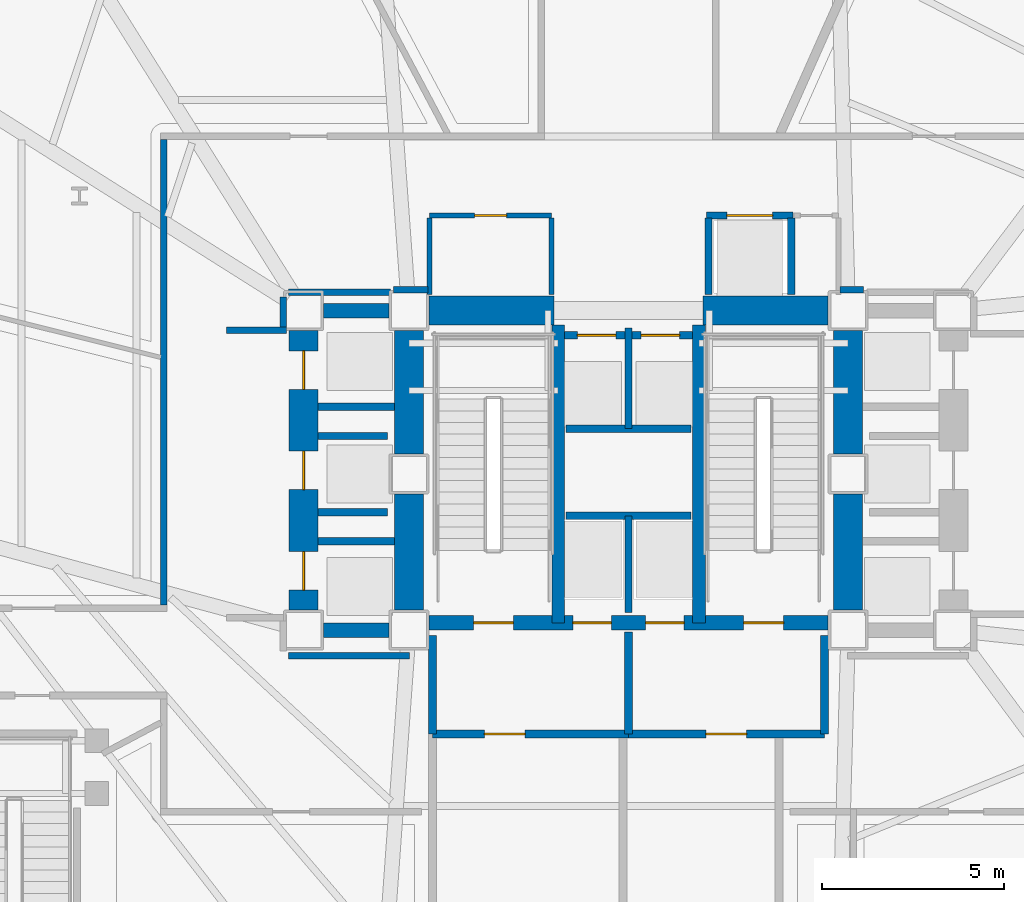
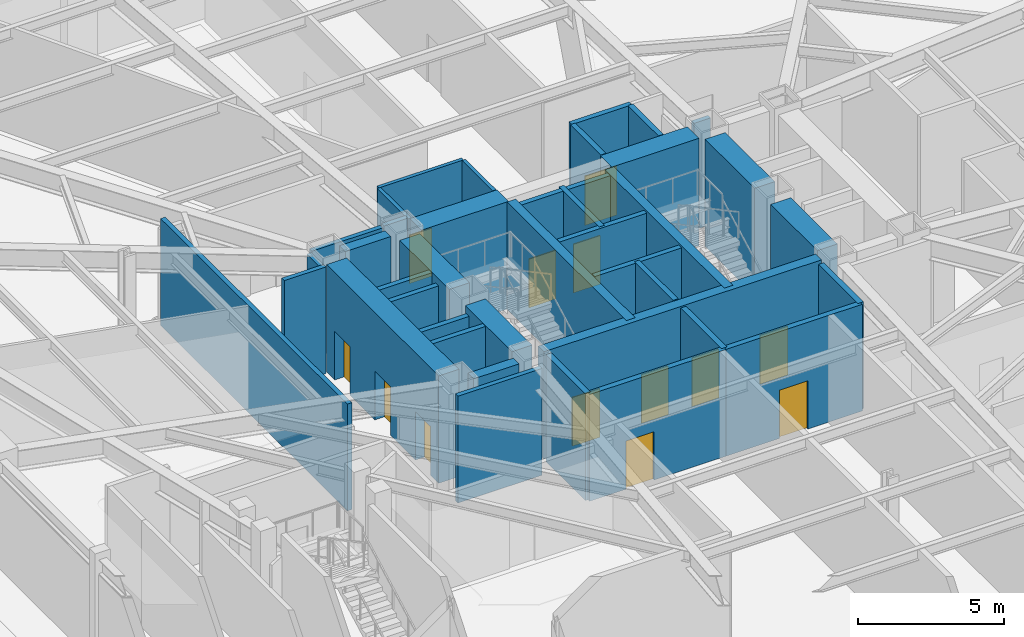
# One storey, part 4 of 10: 39 walls, 13 doors, 13 openings.
"""IFC4 building model written with IfcOpenShell, lengths in metres."""

from ifc_helpers import new_model, si_unit, direction, frame, frame_2d, origin, place, context, subcontext, project, spatial, rectangle, extrude, material, layer, layer_set, type_object, element, fill, save


model = new_model("IFC4")

# Units and contexts
model_context = context("Model", 3, precision=1e-05, world=origin(), true_north=direction((0.0, 1.0)))
body_context = subcontext(model_context, "Body", "Model", "MODEL_VIEW")
ifc_project = project(units=[si_unit("LENGTHUNIT", "METRE"), si_unit("AREAUNIT", "SQUARE_METRE"), si_unit("VOLUMEUNIT", "CUBIC_METRE"), si_unit("PLANEANGLEUNIT", "RADIAN"), si_unit("MASSUNIT", "GRAM", prefix="KILO")], contexts=[model_context])

# Site, building, storey
site_placement = place(None, origin())
site = spatial("IfcSite", under=ifc_project, at=site_placement, CompositionType="ELEMENT")
building_placement = place(site_placement, origin())
building = spatial("IfcBuilding", under=site, at=building_placement, Name="Rocaltana Carrier Exchange", CompositionType="ELEMENT")
storey_placement = place(building_placement, origin())
storey = spatial("IfcBuildingStorey", under=building, at=storey_placement, Name="L01", CompositionType="ELEMENT", Elevation=0.0)

# Walls
ifc_material_1 = material(Name="Concrete C50/60", Category="concrete")
ifc_layer_1 = layer(ifc_material_1, 0.35009765625)
ifc_layer_set_1 = layer_set([ifc_layer_1], Name="Concrete C50/60")
wall_type_1 = type_object("IfcWallType", Name="Core Internal Shear Wall 350", PredefinedType="SHEAR", material=ifc_layer_set_1)
for number, where, z_axis, x_axis, name in (
    (1, (-1.93994140625, -4.10009765625, 0.0), (0.0, 0.0, 1.0), (0.0, 1.0, 0.0), "L01 Core Shear Wall CW-STW"),
    (2, (1.93994140625, -4.10009765625, 0.0), (0.0, 0.0, 1.0), (0.0, 1.0, 0.0), "L01 Core Shear Wall CW-STE"),
):
    element("IfcWall", number, at=place(storey_placement, frame(where, z_axis=z_axis, x_axis=x_axis)), inside=storey, type_object=wall_type_1, Name=name, PredefinedType="SHEAR", context=body_context, shape_type="SweptSolid", body=[
        extrude(rectangle(XDim=8.2001953125, YDim=0.35009765625, at=frame_2d((4.10009765625, 0.0))), origin(), (0.0, 0.0, 1.0), 4.498046875),
    ])

# Wall, openings, doors
ifc_material_2 = material(Name="Concrete C50/60", Category="concrete")
ifc_layer_2 = layer(ifc_material_2, 0.39990234375)
ifc_layer_set_2 = layer_set([ifc_layer_2], Name="Concrete C50/60")
wall_type_2 = type_object("IfcWallType", Name="Core Internal Shear Wall 400", PredefinedType="SHEAR", material=ifc_layer_set_2)
wall_1_placement = place(storey_placement, frame((-5.5, -4.10009765625, 0.0), z_axis=(0.0, 0.0, 1.0), x_axis=(1.0, 0.0, 0.0)))
wall_1 = element("IfcWall", 3, at=wall_1_placement, inside=storey, type_object=wall_type_2, Name="L01 Core Shear Wall CW-S", PredefinedType="SHEAR", context=body_context, shape_type="SweptSolid", body=[
    extrude(rectangle(XDim=11.0, YDim=0.39990234375, at=frame_2d((5.5, 0.0))), origin(), (0.0, 0.0, 1.0), 4.498046875),
])
opening_1_placement = place(wall_1_placement, frame((1.22998046875, 0.0, 0.0)))
opening_1 = element("IfcOpeningElement", 4, at=opening_1_placement, cuts=wall_1, Name="Opening D-ST110", PredefinedType="OPENING", context=body_context, shape_type="SweptSolid", body=[
    extrude(rectangle(XDim=1.10009765625, YDim=2.0400390625, at=frame_2d((0.550048828125, 1.02001953125))), frame((0.0, 0.2099609375, 0.0), z_axis=(0.0, -1.0, 0.0), x_axis=(1.0, 0.0, 0.0)), (0.0, 0.0, 1.0), 0.419921875),
])
opening_2_placement = place(wall_1_placement, frame((8.669921875, 0.0, 0.0)))
opening_2 = element("IfcOpeningElement", 5, at=opening_2_placement, cuts=wall_1, Name="Opening D-ST110", PredefinedType="OPENING", context=body_context, shape_type="SweptSolid", body=[
    extrude(rectangle(XDim=1.10009765625, YDim=2.0400390625, at=frame_2d((0.550048828125, 1.02001953125))), frame((0.0, 0.2099609375, 0.0), z_axis=(0.0, -1.0, 0.0), x_axis=(1.0, 0.0, 0.0)), (0.0, 0.0, 1.0), 0.419921875),
])
opening_3_placement = place(wall_1_placement, frame((3.969970703125, 0.0, 0.0)))
opening_3 = element("IfcOpeningElement", 6, at=opening_3_placement, cuts=wall_1, Name="Opening LD-110", PredefinedType="OPENING", context=body_context, shape_type="SweptSolid", body=[
    extrude(rectangle(XDim=1.06005859375, YDim=2.0400390625, at=frame_2d((0.530029296875, 1.02001953125))), frame((0.0, 0.2099609375, 0.0), z_axis=(0.0, -1.0, 0.0), x_axis=(1.0, 0.0, 0.0)), (0.0, 0.0, 1.0), 0.419921875),
])
opening_4_placement = place(wall_1_placement, frame((5.969970703125, 0.0, 0.0)))
opening_4 = element("IfcOpeningElement", 7, at=opening_4_placement, cuts=wall_1, Name="Opening LD-110", PredefinedType="OPENING", context=body_context, shape_type="SweptSolid", body=[
    extrude(rectangle(XDim=1.06005859375, YDim=2.0400390625, at=frame_2d((0.530029296875, 1.02001953125))), frame((0.0, 0.2099609375, 0.0), z_axis=(0.0, -1.0, 0.0), x_axis=(1.0, 0.0, 0.0)), (0.0, 0.0, 1.0), 0.419921875),
])
ifc_material_3 = material(Name="Hollow Metal Fire Door Assembly", Category="steel")
door_type_1 = type_object("IfcDoorType", Name="Exit Stair Fire Door 1100x2040 FD90S", OperationType="NOTDEFINED", PredefinedType="DOOR", material=ifc_material_3)
door_1_placement = place(opening_1_placement, origin())
door_1 = element("IfcDoor", 8, at=door_1_placement, inside=storey, type_object=door_type_1, Name="L01 Exit Stair ST1 Fire Door", OperationType="SINGLE_SWING_RIGHT", OverallHeight=2.0400390625, OverallWidth=1.10009765625, PredefinedType="DOOR", context=body_context, shape_type="SweptSolid", body=[
    extrude(rectangle(XDim=1.10009765625, YDim=2.0400390625, at=frame_2d((0.550048828125, 1.02001953125))), frame((0.0, 0.02490234375, 0.0), z_axis=(0.0, -1.0, 0.0), x_axis=(1.0, 0.0, 0.0)), (0.0, 0.0, 1.0), 0.050048828125),
])
fill(opening_1, door_1)
door_2_placement = place(opening_2_placement, origin())
door_2 = element("IfcDoor", 9, at=door_2_placement, inside=storey, type_object=door_type_1, Name="L01 Exit Stair ST2 Fire Door", OperationType="SINGLE_SWING_LEFT", OverallHeight=2.0400390625, OverallWidth=1.10009765625, PredefinedType="DOOR", context=body_context, shape_type="SweptSolid", body=[
    extrude(rectangle(XDim=1.10009765625, YDim=2.0400390625, at=frame_2d((0.550048828125, 1.02001953125))), frame((0.0, 0.02490234375, 0.0), z_axis=(0.0, -1.0, 0.0), x_axis=(1.0, 0.0, 0.0)), (0.0, 0.0, 1.0), 0.050048828125),
])
fill(opening_2, door_2)
ifc_material_4 = material(Name="Brushed Stainless Sliding Door Leaf", Category="steel")
door_type_2 = type_object("IfcDoorType", Name="Lift Landing Sliding Door 1060x2040", OperationType="NOTDEFINED", PredefinedType="DOOR", material=ifc_material_4)
door_3_placement = place(opening_3_placement, origin())
door_3 = element("IfcDoor", 10, at=door_3_placement, inside=storey, type_object=door_type_2, Name="L01 Firefighting Lift FFL1 Landing Door", OperationType="SLIDING_TO_LEFT", OverallHeight=2.0400390625, OverallWidth=1.06005859375, PredefinedType="DOOR", context=body_context, shape_type="SweptSolid", body=[
    extrude(rectangle(XDim=1.06005859375, YDim=2.0400390625, at=frame_2d((0.530029296875, 1.02001953125))), frame((0.0, 0.02490234375, 0.0), z_axis=(0.0, -1.0, 0.0), x_axis=(1.0, 0.0, 0.0)), (0.0, 0.0, 1.0), 0.050048828125),
])
fill(opening_3, door_3)
door_4_placement = place(opening_4_placement, origin())
door_4 = element("IfcDoor", 11, at=door_4_placement, inside=storey, type_object=door_type_2, Name="L01 Firefighting Lift FFL2 Landing Door", OperationType="SLIDING_TO_RIGHT", OverallHeight=2.0400390625, OverallWidth=1.06005859375, PredefinedType="DOOR", context=body_context, shape_type="SweptSolid", body=[
    extrude(rectangle(XDim=1.06005859375, YDim=2.0400390625, at=frame_2d((0.530029296875, 1.02001953125))), frame((0.0, 0.02490234375, 0.0), z_axis=(0.0, -1.0, 0.0), x_axis=(1.0, 0.0, 0.0)), (0.0, 0.0, 1.0), 0.050048828125),
])
fill(opening_4, door_4)

# Walls
for number, where, z_axis, x_axis, name in (
    (12, (-8.39990234375, 4.5, 0.0), (0.0, 0.0, 1.0), (1.0, 0.0, 0.0), "L01 Core Shear Wall CW-WWN"),
    (13, (-8.39990234375, -4.300048828125, 0.0), (0.0, 0.0, 1.0), (1.0, 0.0, 0.0), "L01 Core Shear Wall CW-WWS"),
):
    element("IfcWall", number, at=place(storey_placement, frame(where, z_axis=z_axis, x_axis=x_axis)), inside=storey, type_object=wall_type_2, Name=name, PredefinedType="SHEAR", context=body_context, shape_type="SweptSolid", body=[
        extrude(rectangle(XDim=1.7998046875, YDim=0.39990234375, at=frame_2d((0.89990234375, 0.0))), origin(), (0.0, 0.0, 1.0), 4.498046875),
    ])
ifc_material_5 = material(Name="Concrete C60/75", Category="concrete")
ifc_layer_3 = layer(ifc_material_5, 0.800048828125)
ifc_layer_set_3 = layer_set([ifc_layer_3], Name="Concrete C60/75")
wall_type_3 = type_object("IfcWallType", Name="Core Shear Wall 800", PredefinedType="SHEAR", material=ifc_layer_set_3)
wall_2_placement = place(storey_placement, frame((-6.050048828125, 0.550048828125, 0.0), z_axis=(0.0, 0.0, 1.0), x_axis=(0.0, 1.0, 0.0)))
element("IfcWall", 14, at=wall_2_placement, inside=storey, type_object=wall_type_3, Name="L01 Core Shear Wall CW-WN", PredefinedType="SHEAR", context=body_context, shape_type="SweptSolid", body=[
    extrude(rectangle(XDim=3.39990234375, YDim=0.800048828125, at=frame_2d((1.699951171875, 0.0))), origin(), (0.0, 0.0, 1.0), 4.498046875),
])
wall_3_placement = place(storey_placement, frame((-6.050048828125, -3.75, 0.0), z_axis=(0.0, 0.0, 1.0), x_axis=(0.0, 1.0, 0.0)))
element("IfcWall", 15, at=wall_3_placement, inside=storey, type_object=wall_type_3, Name="L01 Core Shear Wall CW-WS", PredefinedType="SHEAR", context=body_context, shape_type="SweptSolid", body=[
    extrude(rectangle(XDim=3.199951171875, YDim=0.800048828125, at=frame_2d((1.60009765625, 0.0))), origin(), (0.0, 0.0, 1.0), 4.498046875),
])
wall_4_placement = place(storey_placement, frame((6.050048828125, 0.550048828125, 0.0), z_axis=(0.0, 0.0, 1.0), x_axis=(0.0, 1.0, 0.0)))
element("IfcWall", 16, at=wall_4_placement, inside=storey, type_object=wall_type_3, Name="L01 Core Shear Wall CW-EN", PredefinedType="SHEAR", context=body_context, shape_type="SweptSolid", body=[
    extrude(rectangle(XDim=3.39990234375, YDim=0.800048828125, at=frame_2d((1.699951171875, 0.0))), origin(), (0.0, 0.0, 1.0), 4.498046875),
])
wall_5_placement = place(storey_placement, frame((6.050048828125, -3.75, 0.0), z_axis=(0.0, 0.0, 1.0), x_axis=(0.0, 1.0, 0.0)))
element("IfcWall", 17, at=wall_5_placement, inside=storey, type_object=wall_type_3, Name="L01 Core Shear Wall CW-ES", PredefinedType="SHEAR", context=body_context, shape_type="SweptSolid", body=[
    extrude(rectangle(XDim=3.199951171875, YDim=0.800048828125, at=frame_2d((1.60009765625, 0.0))), origin(), (0.0, 0.0, 1.0), 4.498046875),
])
for number, where, z_axis, x_axis, name in (
    (18, (-5.5, 4.5, 0.0), (0.0, 0.0, 1.0), (1.0, 0.0, 0.0), "L01 Core Shear Wall CW-N1"),
    (19, (2.050048828125, 4.5, 0.0), (0.0, 0.0, 1.0), (1.0, 0.0, 0.0), "L01 Core Shear Wall CW-N2"),
):
    element("IfcWall", number, at=place(storey_placement, frame(where, z_axis=z_axis, x_axis=x_axis)), inside=storey, type_object=wall_type_3, Name=name, PredefinedType="SHEAR", context=body_context, shape_type="SweptSolid", body=[
        extrude(rectangle(XDim=3.449951171875, YDim=0.800048828125, at=frame_2d((1.72509765625, 0.0))), origin(), (0.0, 0.0, 1.0), 4.498046875),
    ])

# Wall, openings, doors
wall_6_placement = place(storey_placement, frame((-8.949951171875, -3.75, 0.0), z_axis=(0.0, 0.0, 1.0), x_axis=(0.0, 1.0, 0.0)))
wall_6 = element("IfcWall", 20, at=wall_6_placement, inside=storey, type_object=wall_type_3, Name="L01 Core Shear Wall CW-WW", PredefinedType="SHEAR", context=body_context, shape_type="SweptSolid", body=[
    extrude(rectangle(XDim=7.699951171875, YDim=0.800048828125, at=frame_2d((3.85009765625, 0.0))), origin(), (0.0, 0.0, 1.0), 4.498046875),
])
opening_5_placement = place(wall_6_placement, frame((0.550048828125, 0.0, 0.0)))
opening_5 = element("IfcOpeningElement", 21, at=opening_5_placement, cuts=wall_6, Name="Opening LD-110", PredefinedType="OPENING", context=body_context, shape_type="SweptSolid", body=[
    extrude(rectangle(XDim=1.06005859375, YDim=2.0400390625, at=frame_2d((0.530029296875, 1.02001953125))), frame((0.0, 0.409912109375, 0.0), z_axis=(0.0, -1.0, 0.0), x_axis=(1.0, 0.0, 0.0)), (0.0, 0.0, 1.0), 0.820068359375),
])
opening_6_placement = place(wall_6_placement, frame((3.320068359375, 0.0, 0.0)))
opening_6 = element("IfcOpeningElement", 22, at=opening_6_placement, cuts=wall_6, Name="Opening LD-110", PredefinedType="OPENING", context=body_context, shape_type="SweptSolid", body=[
    extrude(rectangle(XDim=1.06005859375, YDim=2.0400390625, at=frame_2d((0.530029296875, 1.02001953125))), frame((0.0, 0.409912109375, 0.0), z_axis=(0.0, -1.0, 0.0), x_axis=(1.0, 0.0, 0.0)), (0.0, 0.0, 1.0), 0.820068359375),
])
opening_7_placement = place(wall_6_placement, frame((6.080078125, 0.0, 0.0)))
opening_7 = element("IfcOpeningElement", 23, at=opening_7_placement, cuts=wall_6, Name="Opening LD-110", PredefinedType="OPENING", context=body_context, shape_type="SweptSolid", body=[
    extrude(rectangle(XDim=1.06005859375, YDim=2.0400390625, at=frame_2d((0.530029296875, 1.02001953125))), frame((0.0, 0.409912109375, 0.0), z_axis=(0.0, -1.0, 0.0), x_axis=(1.0, 0.0, 0.0)), (0.0, 0.0, 1.0), 0.820068359375),
])
door_5_placement = place(opening_5_placement, origin())
door_5 = element("IfcDoor", 24, at=door_5_placement, inside=storey, type_object=door_type_2, Name="L01 Low-Rise Lift PL-L1 Landing Door", OperationType="SLIDING_TO_LEFT", OverallHeight=2.0400390625, OverallWidth=1.06005859375, PredefinedType="DOOR", context=body_context, shape_type="SweptSolid", body=[
    extrude(rectangle(XDim=1.06005859375, YDim=2.0400390625, at=frame_2d((0.530029296875, 1.02001953125))), frame((0.0, 0.02490234375, 0.0), z_axis=(0.0, -1.0, 0.0), x_axis=(1.0, 0.0, 0.0)), (0.0, 0.0, 1.0), 0.050048828125),
])
fill(opening_5, door_5)
door_6_placement = place(opening_6_placement, origin())
door_6 = element("IfcDoor", 25, at=door_6_placement, inside=storey, type_object=door_type_2, Name="L01 Low-Rise Lift PL-L2 Landing Door", OperationType="SLIDING_TO_RIGHT", OverallHeight=2.0400390625, OverallWidth=1.06005859375, PredefinedType="DOOR", context=body_context, shape_type="SweptSolid", body=[
    extrude(rectangle(XDim=1.06005859375, YDim=2.0400390625, at=frame_2d((0.530029296875, 1.02001953125))), frame((0.0, 0.02490234375, 0.0), z_axis=(0.0, -1.0, 0.0), x_axis=(1.0, 0.0, 0.0)), (0.0, 0.0, 1.0), 0.050048828125),
])
fill(opening_6, door_6)
door_7_placement = place(opening_7_placement, origin())
door_7 = element("IfcDoor", 26, at=door_7_placement, inside=storey, type_object=door_type_2, Name="L01 Low-Rise Lift PL-L3 Landing Door", OperationType="SLIDING_TO_LEFT", OverallHeight=2.0400390625, OverallWidth=1.06005859375, PredefinedType="DOOR", context=body_context, shape_type="SweptSolid", body=[
    extrude(rectangle(XDim=1.06005859375, YDim=2.0400390625, at=frame_2d((0.530029296875, 1.02001953125))), frame((0.0, 0.02490234375, 0.0), z_axis=(0.0, -1.0, 0.0), x_axis=(1.0, 0.0, 0.0)), (0.0, 0.0, 1.0), 0.050048828125),
])
fill(opening_7, door_7)

# Walls
ifc_material_6 = material(Name="Gypsum & Steel Stud Partition", Category="steel")
ifc_layer_4 = layer(ifc_material_6, 0.179931640625)
ifc_layer_set_4 = layer_set([ifc_layer_4], Name="Gypsum & Steel Stud Partition")
wall_type_4 = type_object("IfcWallType", Name="Corridor Fire Partition 180 EI60", PredefinedType="PARTITIONING", material=ifc_layer_set_4)
wall_7_placement = place(storey_placement, frame((-12.800048828125, -3.610107421875, 0.0), z_axis=(0.0, 0.0, 1.0), x_axis=(0.0, 1.0, 0.0)))
element("IfcWall", 27, at=wall_7_placement, inside=storey, type_object=wall_type_4, Name="L01 Corridor Partition 2", PredefinedType="PARTITIONING", context=body_context, shape_type="SweptSolid", body=[
    extrude(rectangle(XDim=12.820068359375, YDim=0.179931640625, at=frame_2d((6.41015625, 0.0))), origin(), (0.0, 0.0, 1.0), 4.472900390625),
])
wall_8_placement = place(storey_placement, frame((6.469970703125, 5.080078125, 0.0), z_axis=(0.0, 0.0, 1.0), x_axis=(-1.0, 0.0, 0.0)))
element("IfcWall", 28, at=wall_8_placement, inside=storey, type_object=wall_type_4, Name="L01 Corridor Partition 20", PredefinedType="PARTITIONING", context=body_context, shape_type="SweptSolid", body=[
    extrude(rectangle(XDim=0.64990234375, YDim=0.179931640625, at=frame_2d((0.324951171875, 0.0))), origin(), (0.0, 0.0, 1.0), 4.472900390625),
])
wall_9_placement = place(storey_placement, frame((-5.52001953125, 5.080078125, 0.0), z_axis=(0.0, 0.0, 1.0), x_axis=(-1.0, 0.0, 0.0)))
element("IfcWall", 29, at=wall_9_placement, inside=storey, type_object=wall_type_4, Name="L01 Corridor Partition 23", PredefinedType="PARTITIONING", context=body_context, shape_type="SweptSolid", body=[
    extrude(rectangle(XDim=0.949951171875, YDim=0.179931640625, at=frame_2d((0.47509765625, 0.0))), origin(), (0.0, 0.0, 1.0), 4.472900390625),
])
wall_10_placement = place(storey_placement, frame((-6.562255859375, 5.010009765625, 0.0), z_axis=(0.0, 0.0, 1.0), x_axis=(-1.0, 0.0, 0.0)))
element("IfcWall", 30, at=wall_10_placement, inside=storey, type_object=wall_type_4, Name="L01 Corridor Partition 24", PredefinedType="PARTITIONING", context=body_context, shape_type="SweptSolid", body=[
    extrude(rectangle(XDim=2.807861328125, YDim=0.179931640625, at=frame_2d((1.40380859375, 0.0))), origin(), (0.0, 0.0, 1.0), 4.472900390625),
])
wall_11_placement = place(storey_placement, frame((-9.510009765625, 4.8701171875, 0.0), z_axis=(0.0, 0.0, 1.0), x_axis=(0.0, -1.0, 0.0)))
element("IfcWall", 31, at=wall_11_placement, inside=storey, type_object=wall_type_4, Name="L01 Corridor Partition 25", PredefinedType="PARTITIONING", context=body_context, shape_type="SweptSolid", body=[
    extrude(rectangle(XDim=0.820068359375, YDim=0.179931640625, at=frame_2d((0.41015625, 0.0))), origin(), (0.0, 0.0, 1.0), 4.472900390625),
])
wall_12_placement = place(storey_placement, frame((-9.419921875, 3.9599609375, 0.0), z_axis=(0.0, 0.0, 1.0), x_axis=(-1.0, 0.0, 0.0)))
element("IfcWall", 32, at=wall_12_placement, inside=storey, type_object=wall_type_4, Name="L01 Corridor Partition 26", PredefinedType="PARTITIONING", context=body_context, shape_type="SweptSolid", body=[
    extrude(rectangle(XDim=1.650146484375, YDim=0.179931640625, at=frame_2d((0.8251953125, 0.0))), origin(), (0.0, 0.0, 1.0), 4.472900390625),
])
wall_13_placement = place(storey_placement, frame((-9.3701171875, -5.010009765625, 0.0), z_axis=(0.0, 0.0, 1.0), x_axis=(1.0, 0.0, 0.0)))
element("IfcWall", 33, at=wall_13_placement, inside=storey, type_object=wall_type_4, Name="L01 Corridor Partition 29", PredefinedType="PARTITIONING", context=body_context, shape_type="SweptSolid", body=[
    extrude(rectangle(XDim=3.340087890625, YDim=0.179931640625, at=frame_2d((1.669921875, 0.0))), origin(), (0.0, 0.0, 1.0), 4.472900390625),
])
ifc_material_7 = material(Name="Autoclaved Aerated Concrete C30/37", Category="concrete")
ifc_layer_5 = layer(ifc_material_7, 0.219970703125)
ifc_layer_set_5 = layer_set([ifc_layer_5], Name="Autoclaved Aerated Concrete C30/37")
wall_type_5 = type_object("IfcWallType", Name="Firefighting Lobby Wall 220 EI120", PredefinedType="PARTITIONING", material=ifc_layer_set_5)
for number, where, z_axis, x_axis, name in (
    (34, (-5.39990234375, -7.159912109375, 0.0), (0.0, 0.0, 1.0), (0.0, 1.0, 0.0), "L01 FFL Lobby 1 West Wall"),
    (35, (5.39990234375, -7.159912109375, 0.0), (0.0, 0.0, 1.0), (0.0, 1.0, 0.0), "L01 FFL Lobby 2 East Wall"),
):
    element("IfcWall", number, at=place(storey_placement, frame(where, z_axis=z_axis, x_axis=x_axis)), inside=storey, type_object=wall_type_5, Name=name, PredefinedType="PARTITIONING", context=body_context, shape_type="SweptSolid", body=[
        extrude(rectangle(XDim=2.7099609375, YDim=0.219970703125, at=frame_2d((1.35498046875, 0.0))), origin(), (0.0, 0.0, 1.0), 4.472900390625),
    ])
wall_14_placement = place(storey_placement, frame((0.0, -7.159912109375, 0.0), z_axis=(0.0, 0.0, 1.0), x_axis=(0.0, 1.0, 0.0)))
element("IfcWall", 36, at=wall_14_placement, inside=storey, type_object=wall_type_5, Name="L01 FFL Lobby Centre Wall", PredefinedType="PARTITIONING", context=body_context, shape_type="SweptSolid", body=[
    extrude(rectangle(XDim=2.809814453125, YDim=0.219970703125, at=frame_2d((1.40478515625, 0.0))), origin(), (0.0, 0.0, 1.0), 4.472900390625),
])

# Wall, opening, door
wall_15_placement = place(storey_placement, frame((0.0, -7.159912109375, 0.0), z_axis=(0.0, 0.0, 1.0), x_axis=(-1.0, 0.0, 0.0)))
wall_15 = element("IfcWall", 37, at=wall_15_placement, inside=storey, type_object=wall_type_5, Name="L01 FFL Lobby 1 South Wall", PredefinedType="PARTITIONING", context=body_context, shape_type="SweptSolid", body=[
    extrude(rectangle(XDim=5.39990234375, YDim=0.219970703125, at=frame_2d((2.699951171875, 0.0))), origin(), (0.0, 0.0, 1.0), 4.472900390625),
])
opening_8_placement = place(wall_15_placement, frame((2.85009765625, 0.0, 0.0)))
opening_8 = element("IfcOpeningElement", 38, at=opening_8_placement, cuts=wall_15, Name="Opening D-FF115", PredefinedType="OPENING", context=body_context, shape_type="SweptSolid", body=[
    extrude(rectangle(XDim=1.1201171875, YDim=2.02001953125, at=frame_2d((0.56005859375, 1.010009765625))), frame((0.0, 0.119873046875, 0.0), z_axis=(0.0, -1.0, 0.0), x_axis=(1.0, 0.0, 0.0)), (0.0, 0.0, 1.0), 0.239990234375),
])
ifc_material_8 = material(Name="Hollow Metal Fire Door Assembly", Category="steel")
door_type_3 = type_object("IfcDoorType", Name="Firefighting Lobby Door 1120x2020 FD60S", OperationType="NOTDEFINED", PredefinedType="DOOR", material=ifc_material_8)
door_8_placement = place(opening_8_placement, origin())
door_8 = element("IfcDoor", 39, at=door_8_placement, inside=storey, type_object=door_type_3, Name="L01 Firefighting Lift Lobby 1 Door", OperationType="SINGLE_SWING_RIGHT", OverallHeight=2.02001953125, OverallWidth=1.1201171875, PredefinedType="DOOR", context=body_context, shape_type="SweptSolid", body=[
    extrude(rectangle(XDim=1.1201171875, YDim=2.02001953125, at=frame_2d((0.56005859375, 1.010009765625))), frame((0.0, 0.02490234375, 0.0), z_axis=(0.0, -1.0, 0.0), x_axis=(1.0, 0.0, 0.0)), (0.0, 0.0, 1.0), 0.050048828125),
])
fill(opening_8, door_8)

wall_16_placement = place(storey_placement, frame((5.39990234375, -7.159912109375, 0.0), z_axis=(0.0, 0.0, 1.0), x_axis=(-1.0, 0.0, 0.0)))
wall_16 = element("IfcWall", 40, at=wall_16_placement, inside=storey, type_object=wall_type_5, Name="L01 FFL Lobby 2 South Wall", PredefinedType="PARTITIONING", context=body_context, shape_type="SweptSolid", body=[
    extrude(rectangle(XDim=5.39990234375, YDim=0.219970703125, at=frame_2d((2.699951171875, 0.0))), origin(), (0.0, 0.0, 1.0), 4.472900390625),
])
opening_9_placement = place(wall_16_placement, frame((2.14990234375, 0.0, 0.0)))
opening_9 = element("IfcOpeningElement", 41, at=opening_9_placement, cuts=wall_16, Name="Opening D-FF115", PredefinedType="OPENING", context=body_context, shape_type="SweptSolid", body=[
    extrude(rectangle(XDim=1.1201171875, YDim=2.02001953125, at=frame_2d((0.56005859375, 1.010009765625))), frame((0.0, 0.119873046875, 0.0), z_axis=(0.0, -1.0, 0.0), x_axis=(1.0, 0.0, 0.0)), (0.0, 0.0, 1.0), 0.239990234375),
])
door_9_placement = place(opening_9_placement, origin())
door_9 = element("IfcDoor", 42, at=door_9_placement, inside=storey, type_object=door_type_3, Name="L01 Firefighting Lift Lobby 2 Door", OperationType="SINGLE_SWING_LEFT", OverallHeight=2.02001953125, OverallWidth=1.1201171875, PredefinedType="DOOR", context=body_context, shape_type="SweptSolid", body=[
    extrude(rectangle(XDim=1.1201171875, YDim=2.02001953125, at=frame_2d((0.56005859375, 1.010009765625))), frame((0.0, 0.02490234375, 0.0), z_axis=(0.0, -1.0, 0.0), x_axis=(1.0, 0.0, 0.0)), (0.0, 0.0, 1.0), 0.050048828125),
])
fill(opening_9, door_9)

# Walls
ifc_material_9 = material(Name="Reinforced Concrete Block C35/45", Category="concrete")
ifc_layer_6 = layer(ifc_material_9, 0.199951171875)
ifc_layer_set_6 = layer_set([ifc_layer_6], Name="Reinforced Concrete Block C35/45")
wall_type_6 = type_object("IfcWallType", Name="Lift Hoistway Enclosure Wall 200 EI120", PredefinedType="PARTITIONING", material=ifc_layer_set_6)
wall_17_placement = place(storey_placement, frame((0.0, -3.820068359375, 0.0), z_axis=(0.0, 0.0, 1.0), x_axis=(0.0, 1.0, 0.0)))
element("IfcWall", 43, at=wall_17_placement, inside=storey, type_object=wall_type_6, Name="L01 FFL Shaft Divider", PredefinedType="PARTITIONING", context=body_context, shape_type="SweptSolid", body=[
    extrude(rectangle(XDim=2.670166015625, YDim=0.199951171875, at=frame_2d((1.3349609375, 0.0))), origin(), (0.0, 0.0, 1.0), 4.472900390625),
])
wall_18_placement = place(storey_placement, frame((-1.719970703125, -1.14990234375, 0.0), z_axis=(0.0, 0.0, 1.0), x_axis=(1.0, 0.0, 0.0)))
element("IfcWall", 44, at=wall_18_placement, inside=storey, type_object=wall_type_6, Name="L01 FFL Shaft Back Wall", PredefinedType="PARTITIONING", context=body_context, shape_type="SweptSolid", body=[
    extrude(rectangle(XDim=3.43994140625, YDim=0.199951171875, at=frame_2d((1.719970703125, 0.0))), origin(), (0.0, 0.0, 1.0), 4.472900390625),
])
wall_19_placement = place(storey_placement, frame((0.0, 1.25, 0.0), z_axis=(0.0, 0.0, 1.0), x_axis=(0.0, 1.0, 0.0)))
element("IfcWall", 45, at=wall_19_placement, inside=storey, type_object=wall_type_6, Name="L01 High-Rise Shaft Divider", PredefinedType="PARTITIONING", context=body_context, shape_type="SweptSolid", body=[
    extrude(rectangle(XDim=2.77001953125, YDim=0.199951171875, at=frame_2d((1.385009765625, 0.0))), origin(), (0.0, 0.0, 1.0), 4.472900390625),
])
wall_20_placement = place(storey_placement, frame((-1.719970703125, 1.25, 0.0), z_axis=(0.0, 0.0, 1.0), x_axis=(1.0, 0.0, 0.0)))
element("IfcWall", 46, at=wall_20_placement, inside=storey, type_object=wall_type_6, Name="L01 High-Rise Shaft Back Wall", PredefinedType="PARTITIONING", context=body_context, shape_type="SweptSolid", body=[
    extrude(rectangle(XDim=3.43994140625, YDim=0.199951171875, at=frame_2d((1.719970703125, 0.0))), origin(), (0.0, 0.0, 1.0), 4.472900390625),
])

# Wall, openings, doors
wall_21_placement = place(storey_placement, frame((-1.760009765625, 3.820068359375, 0.0), z_axis=(0.0, 0.0, 1.0), x_axis=(1.0, 0.0, 0.0)))
wall_21 = element("IfcWall", 47, at=wall_21_placement, inside=storey, type_object=wall_type_6, Name="L01 High-Rise Lift Front Wall", PredefinedType="PARTITIONING", context=body_context, shape_type="SweptSolid", body=[
    extrude(rectangle(XDim=3.52001953125, YDim=0.199951171875, at=frame_2d((1.760009765625, 0.0))), origin(), (0.0, 0.0, 1.0), 4.472900390625),
])
opening_10_placement = place(wall_21_placement, frame((0.35009765625, 0.0, 0.0)))
opening_10 = element("IfcOpeningElement", 48, at=opening_10_placement, cuts=wall_21, Name="Opening LD-110", PredefinedType="OPENING", context=body_context, shape_type="SweptSolid", body=[
    extrude(rectangle(XDim=1.06005859375, YDim=2.0400390625, at=frame_2d((0.530029296875, 1.02001953125))), frame((0.0, 0.10986328125, 0.0), z_axis=(0.0, -1.0, 0.0), x_axis=(1.0, 0.0, 0.0)), (0.0, 0.0, 1.0), 0.219970703125),
])
opening_11_placement = place(wall_21_placement, frame((2.110107421875, 0.0, 0.0)))
opening_11 = element("IfcOpeningElement", 49, at=opening_11_placement, cuts=wall_21, Name="Opening LD-110", PredefinedType="OPENING", context=body_context, shape_type="SweptSolid", body=[
    extrude(rectangle(XDim=1.06005859375, YDim=2.0400390625, at=frame_2d((0.530029296875, 1.02001953125))), frame((0.0, 0.10986328125, 0.0), z_axis=(0.0, -1.0, 0.0), x_axis=(1.0, 0.0, 0.0)), (0.0, 0.0, 1.0), 0.219970703125),
])
door_10_placement = place(opening_10_placement, origin())
door_10 = element("IfcDoor", 50, at=door_10_placement, inside=storey, type_object=door_type_2, Name="L01 High-Rise Lift PLH1 Landing Door", OperationType="SLIDING_TO_LEFT", OverallHeight=2.0400390625, OverallWidth=1.06005859375, PredefinedType="DOOR", context=body_context, shape_type="SweptSolid", body=[
    extrude(rectangle(XDim=1.06005859375, YDim=2.0400390625, at=frame_2d((0.530029296875, 1.02001953125))), frame((0.0, 0.02490234375, 0.0), z_axis=(0.0, -1.0, 0.0), x_axis=(1.0, 0.0, 0.0)), (0.0, 0.0, 1.0), 0.050048828125),
])
fill(opening_10, door_10)
door_11_placement = place(opening_11_placement, origin())
door_11 = element("IfcDoor", 51, at=door_11_placement, inside=storey, type_object=door_type_2, Name="L01 High-Rise Lift PLH2 Landing Door", OperationType="SLIDING_TO_RIGHT", OverallHeight=2.0400390625, OverallWidth=1.06005859375, PredefinedType="DOOR", context=body_context, shape_type="SweptSolid", body=[
    extrude(rectangle(XDim=1.06005859375, YDim=2.0400390625, at=frame_2d((0.530029296875, 1.02001953125))), frame((0.0, 0.02490234375, 0.0), z_axis=(0.0, -1.0, 0.0), x_axis=(1.0, 0.0, 0.0)), (0.0, 0.0, 1.0), 0.050048828125),
])
fill(opening_11, door_11)

# Walls
for number, where, z_axis, x_axis, name in (
    (52, (2.199951171875, 4.949951171875, 0.0), (0.0, 0.0, 1.0), (0.0, 1.0, 0.0), "L01 Goods Lift West Wall"),
    (53, (4.47998046875, 4.949951171875, 0.0), (0.0, 0.0, 1.0), (0.0, 1.0, 0.0), "L01 Goods Lift East Wall"),
):
    element("IfcWall", number, at=place(storey_placement, frame(where, z_axis=z_axis, x_axis=x_axis)), inside=storey, type_object=wall_type_6, Name=name, PredefinedType="PARTITIONING", context=body_context, shape_type="SweptSolid", body=[
        extrude(rectangle(XDim=2.10009765625, YDim=0.199951171875, at=frame_2d((1.050048828125, 0.0))), origin(), (0.0, 0.0, 1.0), 4.472900390625),
    ])

# Wall, opening, door
wall_22_placement = place(storey_placement, frame((2.14990234375, 7.1201171875, 0.0), z_axis=(0.0, 0.0, 1.0), x_axis=(1.0, 0.0, 0.0)))
wall_22 = element("IfcWall", 54, at=wall_22_placement, inside=storey, type_object=wall_type_6, Name="L01 Goods Lift Front Wall", PredefinedType="PARTITIONING", context=body_context, shape_type="SweptSolid", body=[
    extrude(rectangle(XDim=2.380126953125, YDim=0.199951171875, at=frame_2d((1.18994140625, 0.0))), origin(), (0.0, 0.0, 1.0), 4.472900390625),
])
opening_12_placement = place(wall_22_placement, frame((0.56005859375, 0.0, 0.0)))
opening_12 = element("IfcOpeningElement", 55, at=opening_12_placement, cuts=wall_22, Name="Opening LD-130", PredefinedType="OPENING", context=body_context, shape_type="SweptSolid", body=[
    extrude(rectangle(XDim=1.260009765625, YDim=2.06005859375, at=frame_2d((0.6298828125, 1.030029296875))), frame((0.0, 0.10986328125, 0.0), z_axis=(0.0, -1.0, 0.0), x_axis=(1.0, 0.0, 0.0)), (0.0, 0.0, 1.0), 0.219970703125),
])
ifc_material_10 = material(Name="Brushed Stainless Sliding Door Leaf", Category="steel")
door_type_4 = type_object("IfcDoorType", Name="Goods Lift Landing Sliding Door 1260x2060", OperationType="NOTDEFINED", PredefinedType="DOOR", material=ifc_material_10)
door_12_placement = place(opening_12_placement, origin())
door_12 = element("IfcDoor", 56, at=door_12_placement, inside=storey, type_object=door_type_4, Name="L01 Goods Lift GL-1 Landing Door", OperationType="SLIDING_TO_LEFT", OverallHeight=2.06005859375, OverallWidth=1.260009765625, PredefinedType="DOOR", context=body_context, shape_type="SweptSolid", body=[
    extrude(rectangle(XDim=1.260009765625, YDim=2.06005859375, at=frame_2d((0.6298828125, 1.030029296875))), frame((0.0, 0.02490234375, 0.0), z_axis=(0.0, -1.0, 0.0), x_axis=(1.0, 0.0, 0.0)), (0.0, 0.0, 1.0), 0.050048828125),
])
fill(opening_12, door_12)

# Walls
for number, where, z_axis, x_axis, name in (
    (57, (-8.550048828125, -1.85009765625, 0.0), (0.0, 0.0, 1.0), (1.0, 0.0, 0.0), "L01 Low-Rise Shaft Divider 1"),
    (58, (-8.550048828125, 1.85009765625, 0.0), (0.0, 0.0, 1.0), (1.0, 0.0, 0.0), "L01 Low-Rise Shaft Divider 2"),
):
    element("IfcWall", number, at=place(storey_placement, frame(where, z_axis=z_axis, x_axis=x_axis)), inside=storey, type_object=wall_type_6, Name=name, PredefinedType="PARTITIONING", context=body_context, shape_type="SweptSolid", body=[
        extrude(rectangle(XDim=2.10009765625, YDim=0.199951171875, at=frame_2d((1.050048828125, 0.0))), origin(), (0.0, 0.0, 1.0), 4.472900390625),
    ])
for number, where, z_axis, x_axis, name in (
    (59, (-8.550048828125, -1.050048828125, 0.0), (0.0, 0.0, 1.0), (1.0, 0.0, 0.0), "L01 Low-Rise Center Shaft Wall South"),
    (60, (-8.550048828125, 1.050048828125, 0.0), (0.0, 0.0, 1.0), (1.0, 0.0, 0.0), "L01 Low-Rise Center Shaft Wall North"),
):
    element("IfcWall", number, at=place(storey_placement, frame(where, z_axis=z_axis, x_axis=x_axis)), inside=storey, type_object=wall_type_6, Name=name, PredefinedType="PARTITIONING", context=body_context, shape_type="SweptSolid", body=[
        extrude(rectangle(XDim=1.91015625, YDim=0.199951171875, at=frame_2d((0.955078125, 0.0))), origin(), (0.0, 0.0, 1.0), 4.472900390625),
    ])
ifc_material_11 = material(Name="Moisture-Resistant Masonry C30/37", Category="masonry")
ifc_layer_7 = layer(ifc_material_11, 0.139892578125)
ifc_layer_set_7 = layer_set([ifc_layer_7], Name="Moisture-Resistant Masonry C30/37")
wall_type_7 = type_object("IfcWallType", Name="Wet-Area Sanitary Partition 140", PredefinedType="PARTITIONING", material=ifc_layer_set_7)
for number, where, z_axis, x_axis, name in (
    (61, (-5.47998046875, 4.949951171875, 0.0), (0.0, 0.0, 1.0), (0.0, 1.0, 0.0), "L01 Sanitary West Wall"),
    (62, (-2.1201171875, 4.949951171875, 0.0), (0.0, 0.0, 1.0), (0.0, 1.0, 0.0), "L01 Sanitary East Wall"),
):
    element("IfcWall", number, at=place(storey_placement, frame(where, z_axis=z_axis, x_axis=x_axis)), inside=storey, type_object=wall_type_7, Name=name, PredefinedType="PARTITIONING", context=body_context, shape_type="SweptSolid", body=[
        extrude(rectangle(XDim=2.10009765625, YDim=0.139892578125, at=frame_2d((1.050048828125, 0.0))), origin(), (0.0, 0.0, 1.0), 4.472900390625),
    ])

# Wall, opening, door
wall_23_placement = place(storey_placement, frame((-5.47998046875, 7.1201171875, 0.0), z_axis=(0.0, 0.0, 1.0), x_axis=(1.0, 0.0, 0.0)))
wall_23 = element("IfcWall", 63, at=wall_23_placement, inside=storey, type_object=wall_type_7, Name="L01 Sanitary North Wall", PredefinedType="PARTITIONING", context=body_context, shape_type="SweptSolid", body=[
    extrude(rectangle(XDim=3.35986328125, YDim=0.139892578125, at=frame_2d((1.679931640625, 0.0))), origin(), (0.0, 0.0, 1.0), 4.472900390625),
])
opening_13_placement = place(wall_23_placement, frame((1.239990234375, 0.0, 0.0)))
opening_13 = element("IfcOpeningElement", 64, at=opening_13_placement, cuts=wall_23, Name="Opening D-WC090", PredefinedType="OPENING", context=body_context, shape_type="SweptSolid", body=[
    extrude(rectangle(XDim=0.8798828125, YDim=2.02001953125, at=frame_2d((0.43994140625, 1.010009765625))), frame((0.0, 0.079833984375, 0.0), z_axis=(0.0, -1.0, 0.0), x_axis=(1.0, 0.0, 0.0)), (0.0, 0.0, 1.0), 0.159912109375),
])
ifc_material_12 = material(Name="High-Pressure Laminate Timber", Category="wood")
door_type_5 = type_object("IfcDoorType", Name="Restroom & Accessible WC Door 880x2020", OperationType="NOTDEFINED", PredefinedType="DOOR", material=ifc_material_12)
door_13_placement = place(opening_13_placement, origin())
door_13 = element("IfcDoor", 65, at=door_13_placement, inside=storey, type_object=door_type_5, Name="L01 Accessible Toilet Door", OperationType="SINGLE_SWING_RIGHT", OverallHeight=2.02001953125, OverallWidth=0.8798828125, PredefinedType="DOOR", context=body_context, shape_type="SweptSolid", body=[
    extrude(rectangle(XDim=0.8798828125, YDim=2.02001953125, at=frame_2d((0.43994140625, 1.010009765625))), frame((0.0, 0.02490234375, 0.0), z_axis=(0.0, -1.0, 0.0), x_axis=(1.0, 0.0, 0.0)), (0.0, 0.0, 1.0), 0.050048828125),
])
fill(opening_13, door_13)

save(model, "model.ifc")
